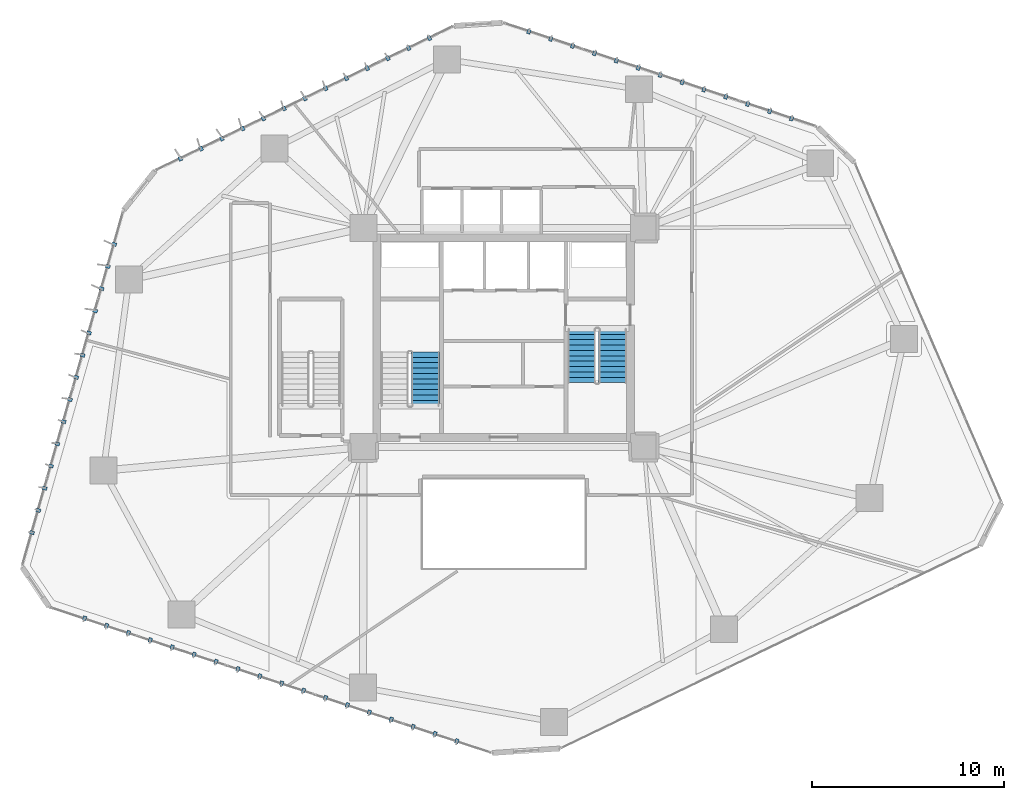
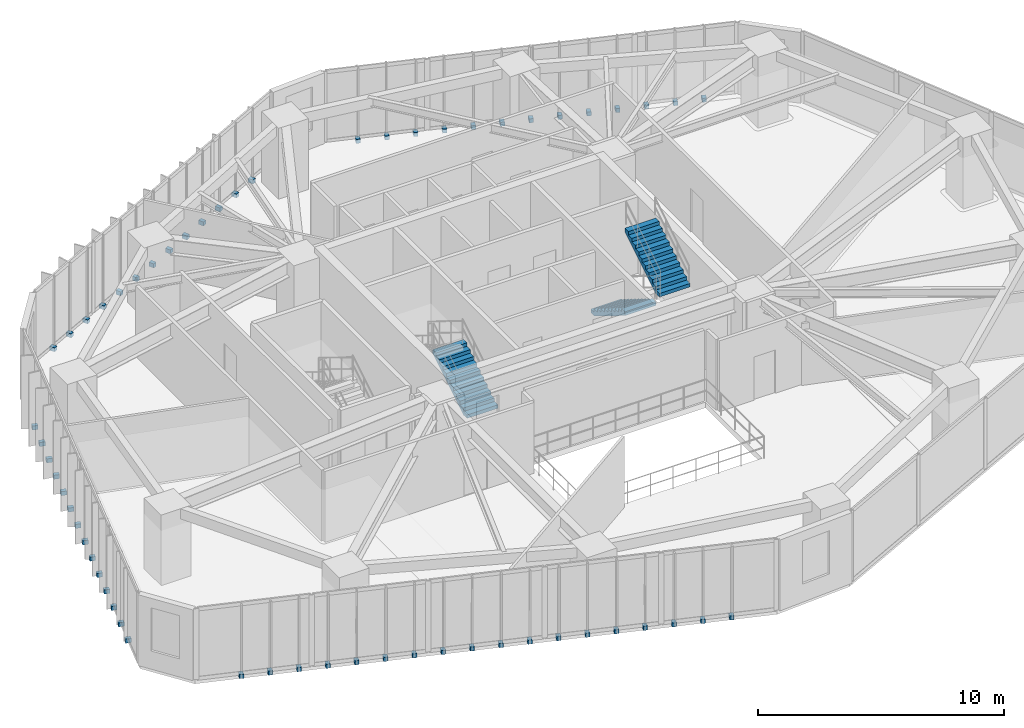
# One storey, part 20 of 23: 58 discrete accessories, 3 stair flights, 2 elements without a shape of their own.
"""IFC4 building model written with IfcOpenShell, lengths in metres."""

import ifcopenshell
import ifcopenshell.guid

model = None  # the IFC model being written
_history = None  # IfcOwnerHistory: only IFC2X3 demands one
_inside = {}  # id of a spatial element -> (the spatial element, [elements in it])
_under = {}  # id of a project, library or spatial element -> (it, [spatial elements below it])
_declared = {}  # id of a project -> (the project, [libraries it declares])
_typed = {}  # id of a type object -> (the type object, [elements of that type])
_made_of = {}  # id of a material, layer set ... -> (it, [elements and type objects made of it])


def new_model(schema):
    """Start an empty IFC model of exactly this schema.

    Asked for "IFC4X3", IfcOpenShell would pick the latest addendum, in which some entities
    have other attributes; the version numbers below select the first issue.
    IFC2X3 requires an IfcOwnerHistory on every rooted entity: one is made here for all.
    """
    global model, _history
    if schema == "IFC4X3":
        model = ifcopenshell.file(schema_version=(4, 3, 0, 0))
    else:
        model = ifcopenshell.file(schema=schema)
    _inside.clear()
    _under.clear()
    _declared.clear()
    _typed.clear()
    _made_of.clear()
    _history = None
    if model.schema == "IFC2X3":
        org = make("IfcOrganization", Name="unknown")
        user = make(
            "IfcPersonAndOrganization",
            ThePerson=make("IfcPerson", FamilyName="unknown"),
            TheOrganization=org,
        )
        app = make(
            "IfcApplication",
            ApplicationDeveloper=org,
            Version="unknown",
            ApplicationFullName="unknown",
            ApplicationIdentifier="unknown",
        )
        _history = make(
            "IfcOwnerHistory",
            OwningUser=user,
            OwningApplication=app,
            ChangeAction="ADDED",
            CreationDate=0,
        )
    return model


def make(cls, **values):
    """One entity of the class cls with the attributes given. An attribute that is None is left unset."""
    return model.create_entity(
        cls, **{name: value for name, value in values.items() if value is not None}
    )


def rooted(cls, **values):
    """An entity with a GlobalId (a new one), such as an element, a storey or a relation."""
    return make(cls, GlobalId=ifcopenshell.guid.new(), OwnerHistory=_history, **values)


def si_unit(unit_type, name, prefix=None):
    """IfcSIUnit, for example si_unit("LENGTHUNIT", "METRE", prefix="MILLI")."""
    return make("IfcSIUnit", UnitType=unit_type, Prefix=prefix, Name=name)


def assignment(units):
    """IfcUnitAssignment: the units of a project."""
    return None if units is None else make("IfcUnitAssignment", Units=units)


def point(xyz):
    """IfcCartesianPoint."""
    return None if xyz is None else make("IfcCartesianPoint", Coordinates=xyz)


def direction(xyz):
    """IfcDirection."""
    return None if xyz is None else make("IfcDirection", DirectionRatios=xyz)


def frame(location, z_axis=None, x_axis=None):
    """IfcAxis2Placement3D, a coordinate frame: its origin and axes. An axis left out is left unset."""
    return make(
        "IfcAxis2Placement3D",
        Location=point(location),
        Axis=direction(z_axis),
        RefDirection=direction(x_axis),
    )


def frame_2d(location, x_axis=None):
    """IfcAxis2Placement2D, a coordinate frame in the plane: its origin and x axis."""
    return make(
        "IfcAxis2Placement2D", Location=point(location), RefDirection=direction(x_axis)
    )


def origin():
    """The frame at (0, 0, 0) with its axes left unset."""
    return frame((0.0, 0.0, 0.0))


def origin_2d():
    """The frame at (0, 0) in the plane with its x axis left unset."""
    return frame_2d((0.0, 0.0))


def place(relative_to, where):
    """IfcLocalPlacement: puts the frame where relative to a parent placement (None: the world)."""
    return make(
        "IfcLocalPlacement", PlacementRelTo=relative_to, RelativePlacement=where
    )


def context(
    kind, dimensions, precision=None, world=None, true_north=None, identifier=None
):
    """IfcGeometricRepresentationContext, for example the 3D "Model" context."""
    return make(
        "IfcGeometricRepresentationContext",
        ContextIdentifier=identifier,
        ContextType=kind,
        CoordinateSpaceDimension=dimensions,
        Precision=precision,
        WorldCoordinateSystem=world,
        TrueNorth=true_north,
    )


def subcontext(parent, identifier, kind, view, scale=None):
    """IfcGeometricRepresentationSubContext, for example "Body" below "Model"."""
    return make(
        "IfcGeometricRepresentationSubContext",
        ContextIdentifier=identifier,
        ContextType=kind,
        ParentContext=parent,
        TargetScale=scale,
        TargetView=view,
    )


def project(units=None, contexts=None):
    """IfcProject with its units and contexts."""
    return rooted(
        "IfcProject",
        Name="project",
        RepresentationContexts=contexts,
        UnitsInContext=assignment(units),
    )


def spatial(cls, under=None, at=None, **own):
    """A site, building, storey or space (cls), placed at a placement, below another one or the project."""
    s = rooted(cls, ObjectPlacement=at, **own)
    if under is not None:
        _under.setdefault(under.id(), (under, []))[1].append(s)
    return s


def polyline(points):
    """IfcPolyline through the points."""
    return make("IfcPolyline", Points=[point(p) for p in points])


def profile(cls, at=None, kind="AREA", **sizes):
    """A parametric profile (cls). Its sizes go by their IFC names, for example OverallWidth=200.0."""
    return make(cls, ProfileType=kind, Position=at, **sizes)


def rectangle(**sizes):
    """IfcRectangleProfileDef."""
    return profile("IfcRectangleProfileDef", **sizes)


def outline(outer, holes=None, kind="AREA"):
    """IfcArbitraryClosedProfileDef: a profile drawn as a closed curve; with holes, ...WithVoids."""
    if holes is None:
        return make("IfcArbitraryClosedProfileDef", ProfileType=kind, OuterCurve=outer)
    return make(
        "IfcArbitraryProfileDefWithVoids",
        ProfileType=kind,
        OuterCurve=outer,
        InnerCurves=holes,
    )


def extrude(swept, where, along, depth):
    """IfcExtrudedAreaSolid: the profile swept, set in the frame where, extruded along a direction by depth."""
    return make(
        "IfcExtrudedAreaSolid",
        SweptArea=swept,
        Position=where,
        ExtrudedDirection=direction(along),
        Depth=depth,
    )


def shape(context_of_items, identifier, shape_type, items):
    """IfcShapeRepresentation: the items that make up one representation, for example the "Body"."""
    return make(
        "IfcShapeRepresentation",
        ContextOfItems=context_of_items,
        RepresentationIdentifier=identifier,
        RepresentationType=shape_type,
        Items=items,
    )


def source(mapping_origin, context_of_items, identifier, shape_type, items):
    """IfcRepresentationMap: a shape defined once, which mapped items show again and again."""
    return make(
        "IfcRepresentationMap",
        MappingOrigin=mapping_origin,
        MappedRepresentation=shape(context_of_items, identifier, shape_type, items),
    )


def transform(
    local_origin,
    x_axis=None,
    y_axis=None,
    z_axis=None,
    scale=None,
    scale2=None,
    scale3=None,
    uniform=True,
):
    """IfcCartesianTransformationOperator3D, or its non-uniform kind. x_axis, y_axis, z_axis: its Axis1, 2, 3."""
    if uniform:
        return make(
            "IfcCartesianTransformationOperator3D",
            Axis1=direction(x_axis),
            Axis2=direction(y_axis),
            LocalOrigin=point(local_origin),
            Scale=scale,
            Axis3=direction(z_axis),
        )
    return make(
        "IfcCartesianTransformationOperator3DnonUniform",
        Axis1=direction(x_axis),
        Axis2=direction(y_axis),
        LocalOrigin=point(local_origin),
        Scale=scale,
        Axis3=direction(z_axis),
        Scale2=scale2,
        Scale3=scale3,
    )


def mapped(mapping_source, mapping_target):
    """IfcMappedItem: shows the shape of a source again, moved by a transform."""
    return make(
        "IfcMappedItem", MappingSource=mapping_source, MappingTarget=mapping_target
    )


def material(Name=None, Category=None):
    """IfcMaterial."""
    return make("IfcMaterial", Name=Name, Category=Category)


def layer(
    of_material, thickness, ventilated=None, Name=None, Category=None, Priority=None
):
    """IfcMaterialLayer: one layer of a wall or slab, of a material (None: an air gap)."""
    return make(
        "IfcMaterialLayer",
        Material=of_material,
        LayerThickness=thickness,
        IsVentilated=ventilated,
        Name=Name,
        Category=Category,
        Priority=Priority,
    )


def layer_set(layers, Name=None):
    """IfcMaterialLayerSet."""
    return make("IfcMaterialLayerSet", MaterialLayers=layers, LayerSetName=Name)


def made_of(thing, what):
    """Note that an element or type object is made of a material, layer set ...; save() writes the relation."""
    if what is not None:
        _made_of.setdefault(what.id(), (what, []))[1].append(thing)
    return thing


def type_object(cls, material=None, **own):
    """A type object (cls), such as IfcWallType, which elements share."""
    return made_of(rooted(cls, **own), material)


def type_shapes(of_type, sources):
    """Give a type object the sources (RepresentationMaps) that its elements show as mapped items."""
    of_type.RepresentationMaps = sources


def element(
    cls,
    number,
    at=None,
    inside=None,
    cuts=None,
    type_object=None,
    material=None,
    context=None,
    identifier="Body",
    shape_type=None,
    held_by="IfcProductDefinitionShape",
    body=None,
    shapes=None,
    **own,
):
    """One element of the class cls, such as IfcWall. Its Tag is "e" and its number.

    at: its placement. inside: the storey or other place that contains it. cuts: it is an
    opening in that element (IfcRelVoidsElement). A single representation is given by context,
    identifier, shape_type and body (its items); several are given by shapes. held_by: the class
    of the entity that holds the representations. save() writes the other relations.
    """
    e = rooted(cls, Tag="e%d" % number, ObjectPlacement=at, **own)
    if body is not None:
        shapes = [shape(context, identifier, shape_type, body)]
    if shapes is not None:
        e.Representation = make(held_by, Representations=shapes)
    if inside is not None:
        _inside.setdefault(inside.id(), (inside, []))[1].append(e)
    if cuts is not None:
        rooted(
            "IfcRelVoidsElement", RelatingBuildingElement=cuts, RelatedOpeningElement=e
        )
    if type_object is not None:
        _typed.setdefault(type_object.id(), (type_object, []))[1].append(e)
    return made_of(e, material)


def aggregate(whole, parts):
    """IfcRelAggregates: a whole, such as a stair, and the parts it consists of."""
    return rooted("IfcRelAggregates", RelatingObject=whole, RelatedObjects=parts)


def save(model, path):
    """Write the relations noted so far, then the file.

    IfcRelAggregates (storeys below a building ...), IfcRelContainedInSpatialStructure (elements
    in a storey), IfcRelDefinesByType, IfcRelAssociatesMaterial and IfcRelDeclares: one each for
    every whole, place, type object, material and project.
    """
    for whole, parts in _under.values():
        aggregate(whole, parts)
    for where, things in _inside.values():
        rooted(
            "IfcRelContainedInSpatialStructure",
            RelatedElements=things,
            RelatingStructure=where,
        )
    for kind, things in _typed.values():
        rooted("IfcRelDefinesByType", RelatedObjects=things, RelatingType=kind)
    for what, things in _made_of.values():
        rooted("IfcRelAssociatesMaterial", RelatedObjects=things, RelatingMaterial=what)
    for by, libraries in _declared.values():
        rooted("IfcRelDeclares", RelatingContext=by, RelatedDefinitions=libraries)
    model.write(path)


model = new_model("IFC4")

# Units and contexts
model_context = context("Model", 3, precision=1e-05, world=origin(), true_north=direction((0.0, 1.0)))
body_context = subcontext(model_context, "Body", "Model", "MODEL_VIEW")
ifc_project = project(units=[si_unit("LENGTHUNIT", "METRE"), si_unit("AREAUNIT", "SQUARE_METRE"), si_unit("VOLUMEUNIT", "CUBIC_METRE"), si_unit("PLANEANGLEUNIT", "RADIAN"), si_unit("MASSUNIT", "GRAM", prefix="KILO")], contexts=[model_context])

# Site, building, storey
site_placement = place(None, origin())
site = spatial("IfcSite", under=ifc_project, at=site_placement, CompositionType="ELEMENT")
building_placement = place(site_placement, origin())
building = spatial("IfcBuilding", under=site, at=building_placement, Name="Talar Marvaseh", CompositionType="ELEMENT")
storey_placement = place(building_placement, frame((0.0, 0.0, 35.39990234375)))
storey = spatial("IfcBuildingStorey", under=building, at=storey_placement, Name="L08", CompositionType="ELEMENT", Elevation=35.39990234375)

# Stair, stair flight
ifc_material_1 = material(Name="Concrete C40/50", Category="concrete")
stair_type = type_object("IfcStairType", Name="Reinforced Concrete Half-Turn Exit Stair Type B", PredefinedType="HALF_TURN_STAIR", material=ifc_material_1)
stair_1_placement = place(storey_placement, origin())
stair_1 = element("IfcStair", 1, at=stair_1_placement, inside=storey, type_object=stair_type, Name="L08 Tower West Core Exit Stair", PredefinedType="HALF_TURN_STAIR")
ifc_layer = layer(ifc_material_1, 0.159912109375)
ifc_layer_set = layer_set([ifc_layer], Name="Concrete C40/50")
stair_flight_type = type_object("IfcStairFlightType", Name="Reinforced Concrete Straight Stair Flight 160", PredefinedType="STRAIGHT", material=ifc_layer_set)
stair_flight_1_placement = place(storey_placement, frame((21.93505859375, 27.64990234375, 0.0), z_axis=(0.0, 0.0, 1.0), x_axis=(0.0, 1.0, 0.0)))
stair_flight_1 = element("IfcStairFlight", 2, at=stair_flight_1_placement, type_object=stair_flight_type, Name="ST-1 flight 1", NumberOfRisers=11, NumberOfTreads=10, PredefinedType="STRAIGHT", RiserHeight=0.172727273, TreadLength=0.28, context=body_context, shape_type="SweptSolid", body=[
    extrude(outline(polyline([(0.0, 0.0), (0.0, 0.172607421875), (0.280029296875, 0.172607421875), (0.280029296875, 0.345458984375), (0.56005859375, 0.345458984375), (0.56005859375, 0.51806640625), (0.840087890625, 0.51806640625), (0.840087890625, 0.69091796875), (1.1201171875, 0.69091796875), (1.1201171875, 0.863525390625), (1.39990234375, 0.863525390625), (1.39990234375, 1.036376953125), (1.679931640625, 1.036376953125), (1.679931640625, 1.208984375), (1.9599609375, 1.208984375), (1.9599609375, 1.3818359375), (2.239990234375, 1.3818359375), (2.239990234375, 1.554443359375), (2.52001953125, 1.554443359375), (2.52001953125, 1.727294921875), (2.800048828125, 1.727294921875), (2.800048828125, 1.89990234375), (2.800048828125, 1.539306640625), (0.3046875, 0.0), (0.0, 0.0)])), frame((0.0, 0.72509765625, 0.0), z_axis=(0.0, -1.0, 0.0), x_axis=(1.0, 0.0, 0.0)), (0.0, 0.0, 1.0), 1.449951171875),
])
aggregate(stair_1, [stair_flight_1])

# Stair, stair flights
stair_2_placement = place(storey_placement, origin())
stair_2 = element("IfcStair", 3, at=stair_2_placement, inside=storey, type_object=stair_type, Name="L08 Tower East Core Exit Stair", PredefinedType="HALF_TURN_STAIR")
stair_flight_2_placement = place(storey_placement, frame((30.06494140625, 31.64990234375, 0.0), z_axis=(0.0, 0.0, 1.0), x_axis=(0.0, -1.0, 0.0)))
stair_flight_2 = element("IfcStairFlight", 4, at=stair_flight_2_placement, type_object=stair_flight_type, Name="ST-2 flight 1", NumberOfRisers=11, NumberOfTreads=10, PredefinedType="STRAIGHT", RiserHeight=0.172727273, TreadLength=0.28, context=body_context, shape_type="SweptSolid", body=[
    extrude(outline(polyline([(0.0, 0.0), (0.0, 0.172607421875), (0.280029296875, 0.172607421875), (0.280029296875, 0.345458984375), (0.56005859375, 0.345458984375), (0.56005859375, 0.51806640625), (0.840087890625, 0.51806640625), (0.840087890625, 0.69091796875), (1.1201171875, 0.69091796875), (1.1201171875, 0.863525390625), (1.39990234375, 0.863525390625), (1.39990234375, 1.036376953125), (1.679931640625, 1.036376953125), (1.679931640625, 1.208984375), (1.9599609375, 1.208984375), (1.9599609375, 1.3818359375), (2.239990234375, 1.3818359375), (2.239990234375, 1.554443359375), (2.52001953125, 1.554443359375), (2.52001953125, 1.727294921875), (2.800048828125, 1.727294921875), (2.800048828125, 1.89990234375), (2.800048828125, 1.539306640625), (0.3046875, 0.0), (0.0, 0.0)])), frame((0.0, 0.72509765625, 0.0), z_axis=(0.0, -1.0, 0.0), x_axis=(1.0, 0.0, 0.0)), (0.0, 0.0, 1.0), 1.449951171875),
])
stair_flight_3_placement = place(storey_placement, frame((31.675048828125, 28.85009765625, 1.900146484375), z_axis=(0.0, 0.0, 1.0), x_axis=(0.0, 1.0, 0.0)))
stair_flight_3 = element("IfcStairFlight", 5, at=stair_flight_3_placement, type_object=stair_flight_type, Name="ST-2 flight 2", NumberOfRisers=11, NumberOfTreads=10, PredefinedType="STRAIGHT", RiserHeight=0.172727273, TreadLength=0.28, context=body_context, shape_type="SweptSolid", body=[
    extrude(outline(polyline([(0.0, 0.0), (0.0, 0.172607421875), (0.280029296875, 0.172607421875), (0.280029296875, 0.345458984375), (0.56005859375, 0.345458984375), (0.56005859375, 0.51806640625), (0.840087890625, 0.51806640625), (0.840087890625, 0.69091796875), (1.1201171875, 0.69091796875), (1.1201171875, 0.863525390625), (1.39990234375, 0.863525390625), (1.39990234375, 1.036376953125), (1.679931640625, 1.036376953125), (1.679931640625, 1.208984375), (1.9599609375, 1.208984375), (1.9599609375, 1.3818359375), (2.239990234375, 1.3818359375), (2.239990234375, 1.554443359375), (2.52001953125, 1.554443359375), (2.52001953125, 1.727294921875), (2.800048828125, 1.727294921875), (2.800048828125, 1.89990234375), (2.800048828125, 1.539306640625), (0.3046875, 0.0), (0.0, 0.0)])), frame((0.0, 0.72509765625, 0.0), z_axis=(0.0, -1.0, 0.0), x_axis=(1.0, 0.0, 0.0)), (0.0, 0.0, 1.0), 1.449951171875),
])
aggregate(stair_2, [stair_flight_2, stair_flight_3])

# Discrete accessories
ifc_material_2 = material(Name="Stainless Steel Grade 316", Category="steel")
discrete_accessory_type = type_object("IfcDiscreteAccessoryType", Name="Stainless Slab-Edge Fin Mounting Bracket", PredefinedType="BRACKET", material=ifc_material_2)
shared_shape = source(origin(), body_context, "Body", "SweptSolid", [
    extrude(rectangle(XDim=0.239990234375, YDim=0.179931640625, at=origin_2d()), origin(), (0.0, 0.0, 1.0), 0.199951171875),
])
type_shapes(discrete_accessory_type, [shared_shape])
for number, where, z_axis, x_axis, name in (
    (6, (1.458251953125, 21.048828125, -0.1796875), (0.0, 0.0, 1.0), (-0.961741309549, 0.273959218692, 0.0), "L08 Vertical Fin Slab-Edge Bracket"),
    (7, (1.787109375, 22.202880859375, -0.1796875), (0.0, 0.0, 1.0), (-0.961741309549, 0.273959218692, 0.0), "L08 Vertical Fin Slab-Edge Bracket"),
    (8, (2.115966796875, 23.357177734375, -0.1796875), (0.0, 0.0, 1.0), (-0.961741309549, 0.273959218692, 0.0), "L08 Vertical Fin Slab-Edge Bracket"),
    (9, (2.44482421875, 24.510986328125, -0.1796875), (0.0, 0.0, 1.0), (-0.961741309549, 0.273959218692, 0.0), "L08 Vertical Fin Slab-Edge Bracket"),
    (10, (2.773681640625, 25.665283203125, -0.1796875), (0.0, 0.0, 1.0), (-0.961741309549, 0.273959218692, 0.0), "L08 Vertical Fin Slab-Edge Bracket"),
    (11, (3.102294921875, 26.8193359375, -0.1796875), (0.0, 0.0, 1.0), (-0.961741309549, 0.273959218692, 0.0), "L08 Vertical Fin Slab-Edge Bracket"),
    (12, (3.431396484375, 27.973388671875, -0.1796875), (0.0, 0.0, 1.0), (-0.961741309549, 0.273959218692, 0.0), "L08 Vertical Fin Slab-Edge Bracket"),
    (13, (3.760009765625, 29.12744140625, -0.1796875), (0.0, 0.0, 1.0), (-0.961741309549, 0.273959218692, 0.0), "L08 Vertical Fin Slab-Edge Bracket"),
    (14, (4.0888671875, 30.281494140625, -0.1796875), (0.0, 0.0, 1.0), (-0.961741309549, 0.273959218692, 0.0), "L08 Vertical Fin Slab-Edge Bracket"),
    (15, (4.417724609375, 31.435546875, -0.1796875), (0.0, 0.0, 1.0), (-0.961741309549, 0.273959218692, 0.0), "L08 Vertical Fin Slab-Edge Bracket"),
    (16, (4.74658203125, 32.589599609375, -0.1796875), (0.0, 0.0, 1.0), (-0.961741309549, 0.273959218692, 0.0), "L08 Vertical Fin Slab-Edge Bracket"),
    (17, (5.075439453125, 33.74365234375, -0.1796875), (0.0, 0.0, 1.0), (-0.961741309549, 0.273959218692, 0.0), "L08 Vertical Fin Slab-Edge Bracket"),
    (18, (5.404296875, 34.897705078125, -0.1796875), (0.0, 0.0, 1.0), (-0.961741309549, 0.273959218692, 0.0), "L08 Vertical Fin Slab-Edge Bracket"),
    (19, (5.733154296875, 36.0517578125, -0.1796875), (0.0, 0.0, 1.0), (-0.961741309549, 0.273959218692, 0.0), "L08 Vertical Fin Slab-Edge Bracket"),
    (20, (9.175537109375, 40.509521484375, -0.1796875), (0.0, 0.0, 1.0), (-0.435545343388, 0.900166792241, 0.0), "L08 Vertical Fin Slab-Edge Bracket"),
    (21, (10.255859375, 41.031982421875, -0.1796875), (0.0, 0.0, 1.0), (-0.435545343388, 0.900166792241, 0.0), "L08 Vertical Fin Slab-Edge Bracket"),
    (22, (11.3359375, 41.5546875, -0.1796875), (0.0, 0.0, 1.0), (-0.435545343388, 0.900166792241, 0.0), "L08 Vertical Fin Slab-Edge Bracket"),
    (23, (12.416259765625, 42.077392578125, -0.1796875), (0.0, 0.0, 1.0), (-0.435545343388, 0.900166792241, 0.0), "L08 Vertical Fin Slab-Edge Bracket"),
    (24, (13.496337890625, 42.599853515625, -0.1796875), (0.0, 0.0, 1.0), (-0.435545343388, 0.900166792241, 0.0), "L08 Vertical Fin Slab-Edge Bracket"),
    (25, (14.57666015625, 43.12255859375, -0.1796875), (0.0, 0.0, 1.0), (-0.435545343388, 0.900166792241, 0.0), "L08 Vertical Fin Slab-Edge Bracket"),
    (26, (15.656982421875, 43.645263671875, -0.1796875), (0.0, 0.0, 1.0), (-0.435545343388, 0.900166792241, 0.0), "L08 Vertical Fin Slab-Edge Bracket"),
    (27, (16.737060546875, 44.167724609375, -0.1796875), (0.0, 0.0, 1.0), (-0.435545343388, 0.900166792241, 0.0), "L08 Vertical Fin Slab-Edge Bracket"),
    (28, (17.8173828125, 44.6904296875, -0.1796875), (0.0, 0.0, 1.0), (-0.435545343388, 0.900166792241, 0.0), "L08 Vertical Fin Slab-Edge Bracket"),
    (29, (18.8974609375, 45.212890625, -0.1796875), (0.0, 0.0, 1.0), (-0.435545343388, 0.900166792241, 0.0), "L08 Vertical Fin Slab-Edge Bracket"),
    (30, (19.977783203125, 45.735595703125, -0.1796875), (0.0, 0.0, 1.0), (-0.435545343388, 0.900166792241, 0.0), "L08 Vertical Fin Slab-Edge Bracket"),
    (31, (21.05810546875, 46.25830078125, -0.1796875), (0.0, 0.0, 1.0), (-0.435545343388, 0.900166792241, 0.0), "L08 Vertical Fin Slab-Edge Bracket"),
    (32, (22.13818359375, 46.78076171875, -0.1796875), (0.0, 0.0, 1.0), (-0.435545343388, 0.900166792241, 0.0), "L08 Vertical Fin Slab-Edge Bracket"),
    (33, (27.31201171875, 47.1201171875, -0.1796875), (0.0, 0.0, 1.0), (0.314323848843, 0.949315815758, 0.0), "L08 Vertical Fin Slab-Edge Bracket"),
    (34, (28.451416015625, 46.742919921875, -0.1796875), (0.0, 0.0, 1.0), (0.314323848843, 0.949315815758, 0.0), "L08 Vertical Fin Slab-Edge Bracket"),
    (35, (29.590576171875, 46.36572265625, -0.1796875), (0.0, 0.0, 1.0), (0.314323848843, 0.949315815758, 0.0), "L08 Vertical Fin Slab-Edge Bracket"),
    (36, (30.729736328125, 45.988525390625, -0.1796875), (0.0, 0.0, 1.0), (0.314323848843, 0.949315815758, 0.0), "L08 Vertical Fin Slab-Edge Bracket"),
    (37, (31.868896484375, 45.611328125, -0.1796875), (0.0, 0.0, 1.0), (0.314323848843, 0.949315815758, 0.0), "L08 Vertical Fin Slab-Edge Bracket"),
    (38, (33.008056640625, 45.234375, -0.1796875), (0.0, 0.0, 1.0), (0.314323848843, 0.949315815758, 0.0), "L08 Vertical Fin Slab-Edge Bracket"),
    (39, (34.147216796875, 44.857177734375, -0.1796875), (0.0, 0.0, 1.0), (0.314323848843, 0.949315815758, 0.0), "L08 Vertical Fin Slab-Edge Bracket"),
    (40, (35.28662109375, 44.47998046875, -0.1796875), (0.0, 0.0, 1.0), (0.314323848843, 0.949315815758, 0.0), "L08 Vertical Fin Slab-Edge Bracket"),
    (41, (36.42578125, 44.102783203125, -0.1796875), (0.0, 0.0, 1.0), (0.314323848843, 0.949315815758, 0.0), "L08 Vertical Fin Slab-Edge Bracket"),
    (42, (37.56494140625, 43.7255859375, -0.1796875), (0.0, 0.0, 1.0), (0.314323848843, 0.949315815758, 0.0), "L08 Vertical Fin Slab-Edge Bracket"),
    (43, (38.7041015625, 43.348388671875, -0.1796875), (0.0, 0.0, 1.0), (0.314323848843, 0.949315815758, 0.0), "L08 Vertical Fin Slab-Edge Bracket"),
    (44, (39.84326171875, 42.971435546875, -0.1796875), (0.0, 0.0, 1.0), (0.314323848843, 0.949315815758, 0.0), "L08 Vertical Fin Slab-Edge Bracket"),
    (45, (40.982421875, 42.59423828125, -0.1796875), (0.0, 0.0, 1.0), (0.314323848843, 0.949315815758, 0.0), "L08 Vertical Fin Slab-Edge Bracket"),
    (46, (23.5693359375, 10.197265625, -0.1796875), (0.0, 0.0, 1.0), (-0.312998047948, -0.949753769132, 0.0), "L08 Vertical Fin Slab-Edge Bracket"),
    (47, (22.4296875, 10.572998046875, -0.1796875), (0.0, 0.0, 1.0), (-0.312998047948, -0.949753769132, 0.0), "L08 Vertical Fin Slab-Edge Bracket"),
    (48, (21.289794921875, 10.948486328125, -0.1796875), (0.0, 0.0, 1.0), (-0.312998047948, -0.949753769132, 0.0), "L08 Vertical Fin Slab-Edge Bracket"),
    (49, (20.150146484375, 11.32421875, -0.1796875), (0.0, 0.0, 1.0), (-0.312998047948, -0.949753769132, 0.0), "L08 Vertical Fin Slab-Edge Bracket"),
    (50, (19.010498046875, 11.69970703125, -0.1796875), (0.0, 0.0, 1.0), (-0.312998047948, -0.949753769132, 0.0), "L08 Vertical Fin Slab-Edge Bracket"),
    (51, (17.870849609375, 12.075439453125, -0.1796875), (0.0, 0.0, 1.0), (-0.312998047948, -0.949753769132, 0.0), "L08 Vertical Fin Slab-Edge Bracket"),
    (52, (16.731201171875, 12.451171875, -0.1796875), (0.0, 0.0, 1.0), (-0.312998047948, -0.949753769132, 0.0), "L08 Vertical Fin Slab-Edge Bracket"),
    (53, (15.59130859375, 12.82666015625, -0.1796875), (0.0, 0.0, 1.0), (-0.312998047948, -0.949753769132, 0.0), "L08 Vertical Fin Slab-Edge Bracket"),
    (54, (14.45166015625, 13.202392578125, -0.1796875), (0.0, 0.0, 1.0), (-0.312998047948, -0.949753769132, 0.0), "L08 Vertical Fin Slab-Edge Bracket"),
    (55, (13.31201171875, 13.577880859375, -0.1796875), (0.0, 0.0, 1.0), (-0.312998047948, -0.949753769132, 0.0), "L08 Vertical Fin Slab-Edge Bracket"),
    (56, (12.17236328125, 13.95361328125, -0.1796875), (0.0, 0.0, 1.0), (-0.312998047948, -0.949753769132, 0.0), "L08 Vertical Fin Slab-Edge Bracket"),
    (57, (11.03271484375, 14.3291015625, -0.1796875), (0.0, 0.0, 1.0), (-0.312998047948, -0.949753769132, 0.0), "L08 Vertical Fin Slab-Edge Bracket"),
    (58, (9.892822265625, 14.704833984375, -0.1796875), (0.0, 0.0, 1.0), (-0.312998047948, -0.949753769132, 0.0), "L08 Vertical Fin Slab-Edge Bracket"),
    (59, (8.753173828125, 15.080322265625, -0.1796875), (0.0, 0.0, 1.0), (-0.312998047948, -0.949753769132, 0.0), "L08 Vertical Fin Slab-Edge Bracket"),
    (60, (7.613525390625, 15.4560546875, -0.1796875), (0.0, 0.0, 1.0), (-0.312998047948, -0.949753769132, 0.0), "L08 Vertical Fin Slab-Edge Bracket"),
    (61, (6.473876953125, 15.831787109375, -0.1796875), (0.0, 0.0, 1.0), (-0.312998047948, -0.949753769132, 0.0), "L08 Vertical Fin Slab-Edge Bracket"),
    (62, (5.334228515625, 16.207275390625, -0.1796875), (0.0, 0.0, 1.0), (-0.312998047948, -0.949753769132, 0.0), "L08 Vertical Fin Slab-Edge Bracket"),
    (63, (4.194580078125, 16.5830078125, -0.1796875), (0.0, 0.0, 1.0), (-0.312998047948, -0.949753769132, 0.0), "L08 Vertical Fin Slab-Edge Bracket"),
):
    element("IfcDiscreteAccessory", number, at=place(storey_placement, frame(where, z_axis=z_axis, x_axis=x_axis)), inside=storey, type_object=discrete_accessory_type, Name=name, PredefinedType="BRACKET", context=body_context, shape_type="MappedRepresentation", body=[
        mapped(shared_shape, transform((0.0, 0.0, 0.0), x_axis=(1.0, 0.0, 0.0), y_axis=(0.0, 1.0, 0.0), z_axis=(0.0, 0.0, 1.0), scale=1.0)),
    ])

save(model, "model.ifc")
